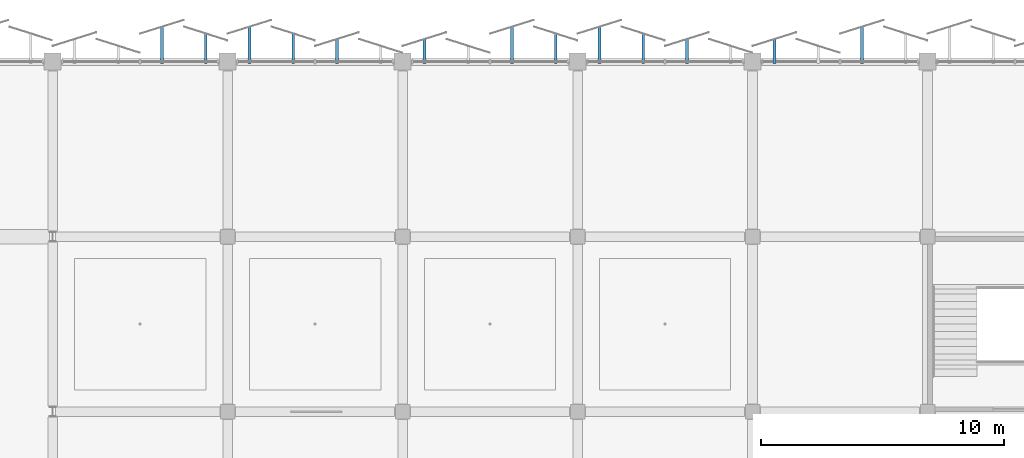
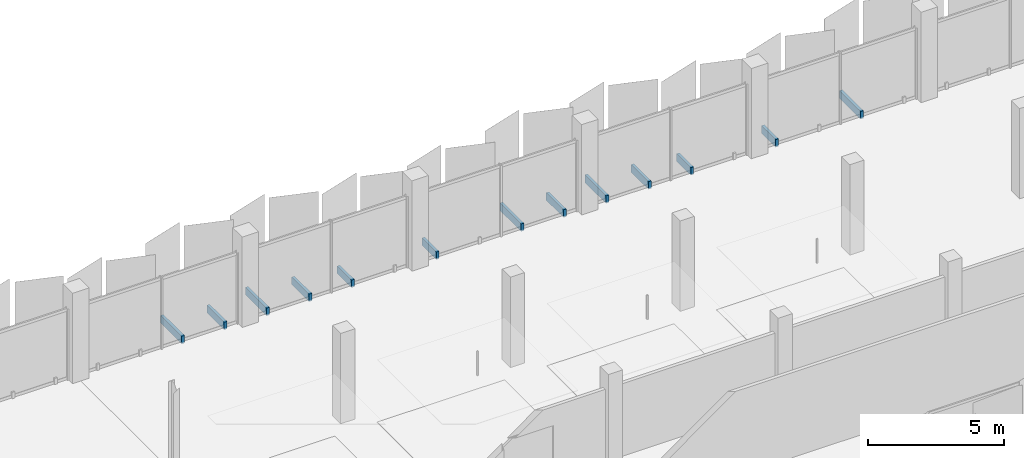
# One storey, part 97 of 107: 13 discrete accessories.
"""IFC4 building model written with IfcOpenShell, lengths in metres."""

import ifcopenshell
import ifcopenshell.guid

model = None  # the IFC model being written
_history = None  # IfcOwnerHistory: only IFC2X3 demands one
_inside = {}  # id of a spatial element -> (the spatial element, [elements in it])
_under = {}  # id of a project, library or spatial element -> (it, [spatial elements below it])
_declared = {}  # id of a project -> (the project, [libraries it declares])
_typed = {}  # id of a type object -> (the type object, [elements of that type])
_made_of = {}  # id of a material, layer set ... -> (it, [elements and type objects made of it])


def new_model(schema):
    """Start an empty IFC model of exactly this schema.

    Asked for "IFC4X3", IfcOpenShell would pick the latest addendum, in which some entities
    have other attributes; the version numbers below select the first issue.
    IFC2X3 requires an IfcOwnerHistory on every rooted entity: one is made here for all.
    """
    global model, _history
    if schema == "IFC4X3":
        model = ifcopenshell.file(schema_version=(4, 3, 0, 0))
    else:
        model = ifcopenshell.file(schema=schema)
    _inside.clear()
    _under.clear()
    _declared.clear()
    _typed.clear()
    _made_of.clear()
    _history = None
    if model.schema == "IFC2X3":
        org = make("IfcOrganization", Name="unknown")
        user = make(
            "IfcPersonAndOrganization",
            ThePerson=make("IfcPerson", FamilyName="unknown"),
            TheOrganization=org,
        )
        app = make(
            "IfcApplication",
            ApplicationDeveloper=org,
            Version="unknown",
            ApplicationFullName="unknown",
            ApplicationIdentifier="unknown",
        )
        _history = make(
            "IfcOwnerHistory",
            OwningUser=user,
            OwningApplication=app,
            ChangeAction="ADDED",
            CreationDate=0,
        )
    return model


def make(cls, **values):
    """One entity of the class cls with the attributes given. An attribute that is None is left unset."""
    return model.create_entity(
        cls, **{name: value for name, value in values.items() if value is not None}
    )


def rooted(cls, **values):
    """An entity with a GlobalId (a new one), such as an element, a storey or a relation."""
    return make(cls, GlobalId=ifcopenshell.guid.new(), OwnerHistory=_history, **values)


def si_unit(unit_type, name, prefix=None):
    """IfcSIUnit, for example si_unit("LENGTHUNIT", "METRE", prefix="MILLI")."""
    return make("IfcSIUnit", UnitType=unit_type, Prefix=prefix, Name=name)


def assignment(units):
    """IfcUnitAssignment: the units of a project."""
    return None if units is None else make("IfcUnitAssignment", Units=units)


def point(xyz):
    """IfcCartesianPoint."""
    return None if xyz is None else make("IfcCartesianPoint", Coordinates=xyz)


def direction(xyz):
    """IfcDirection."""
    return None if xyz is None else make("IfcDirection", DirectionRatios=xyz)


def frame(location, z_axis=None, x_axis=None):
    """IfcAxis2Placement3D, a coordinate frame: its origin and axes. An axis left out is left unset."""
    return make(
        "IfcAxis2Placement3D",
        Location=point(location),
        Axis=direction(z_axis),
        RefDirection=direction(x_axis),
    )


def frame_2d(location, x_axis=None):
    """IfcAxis2Placement2D, a coordinate frame in the plane: its origin and x axis."""
    return make(
        "IfcAxis2Placement2D", Location=point(location), RefDirection=direction(x_axis)
    )


def origin():
    """The frame at (0, 0, 0) with its axes left unset."""
    return frame((0.0, 0.0, 0.0))


def origin_2d():
    """The frame at (0, 0) in the plane with its x axis left unset."""
    return frame_2d((0.0, 0.0))


def place(relative_to, where):
    """IfcLocalPlacement: puts the frame where relative to a parent placement (None: the world)."""
    return make(
        "IfcLocalPlacement", PlacementRelTo=relative_to, RelativePlacement=where
    )


def context(
    kind, dimensions, precision=None, world=None, true_north=None, identifier=None
):
    """IfcGeometricRepresentationContext, for example the 3D "Model" context."""
    return make(
        "IfcGeometricRepresentationContext",
        ContextIdentifier=identifier,
        ContextType=kind,
        CoordinateSpaceDimension=dimensions,
        Precision=precision,
        WorldCoordinateSystem=world,
        TrueNorth=true_north,
    )


def subcontext(parent, identifier, kind, view, scale=None):
    """IfcGeometricRepresentationSubContext, for example "Body" below "Model"."""
    return make(
        "IfcGeometricRepresentationSubContext",
        ContextIdentifier=identifier,
        ContextType=kind,
        ParentContext=parent,
        TargetScale=scale,
        TargetView=view,
    )


def project(units=None, contexts=None):
    """IfcProject with its units and contexts."""
    return rooted(
        "IfcProject",
        Name="project",
        RepresentationContexts=contexts,
        UnitsInContext=assignment(units),
    )


def spatial(cls, under=None, at=None, **own):
    """A site, building, storey or space (cls), placed at a placement, below another one or the project."""
    s = rooted(cls, ObjectPlacement=at, **own)
    if under is not None:
        _under.setdefault(under.id(), (under, []))[1].append(s)
    return s


def profile(cls, at=None, kind="AREA", **sizes):
    """A parametric profile (cls). Its sizes go by their IFC names, for example OverallWidth=200.0."""
    return make(cls, ProfileType=kind, Position=at, **sizes)


def rectangle(**sizes):
    """IfcRectangleProfileDef."""
    return profile("IfcRectangleProfileDef", **sizes)


def extrude(swept, where, along, depth):
    """IfcExtrudedAreaSolid: the profile swept, set in the frame where, extruded along a direction by depth."""
    return make(
        "IfcExtrudedAreaSolid",
        SweptArea=swept,
        Position=where,
        ExtrudedDirection=direction(along),
        Depth=depth,
    )


def shape(context_of_items, identifier, shape_type, items):
    """IfcShapeRepresentation: the items that make up one representation, for example the "Body"."""
    return make(
        "IfcShapeRepresentation",
        ContextOfItems=context_of_items,
        RepresentationIdentifier=identifier,
        RepresentationType=shape_type,
        Items=items,
    )


def material(Name=None, Category=None):
    """IfcMaterial."""
    return make("IfcMaterial", Name=Name, Category=Category)


def made_of(thing, what):
    """Note that an element or type object is made of a material, layer set ...; save() writes the relation."""
    if what is not None:
        _made_of.setdefault(what.id(), (what, []))[1].append(thing)
    return thing


def type_object(cls, material=None, **own):
    """A type object (cls), such as IfcWallType, which elements share."""
    return made_of(rooted(cls, **own), material)


def element(
    cls,
    number,
    at=None,
    inside=None,
    cuts=None,
    type_object=None,
    material=None,
    context=None,
    identifier="Body",
    shape_type=None,
    held_by="IfcProductDefinitionShape",
    body=None,
    shapes=None,
    **own,
):
    """One element of the class cls, such as IfcWall. Its Tag is "e" and its number.

    at: its placement. inside: the storey or other place that contains it. cuts: it is an
    opening in that element (IfcRelVoidsElement). A single representation is given by context,
    identifier, shape_type and body (its items); several are given by shapes. held_by: the class
    of the entity that holds the representations. save() writes the other relations.
    """
    e = rooted(cls, Tag="e%d" % number, ObjectPlacement=at, **own)
    if body is not None:
        shapes = [shape(context, identifier, shape_type, body)]
    if shapes is not None:
        e.Representation = make(held_by, Representations=shapes)
    if inside is not None:
        _inside.setdefault(inside.id(), (inside, []))[1].append(e)
    if cuts is not None:
        rooted(
            "IfcRelVoidsElement", RelatingBuildingElement=cuts, RelatedOpeningElement=e
        )
    if type_object is not None:
        _typed.setdefault(type_object.id(), (type_object, []))[1].append(e)
    return made_of(e, material)


def aggregate(whole, parts):
    """IfcRelAggregates: a whole, such as a stair, and the parts it consists of."""
    return rooted("IfcRelAggregates", RelatingObject=whole, RelatedObjects=parts)


def save(model, path):
    """Write the relations noted so far, then the file.

    IfcRelAggregates (storeys below a building ...), IfcRelContainedInSpatialStructure (elements
    in a storey), IfcRelDefinesByType, IfcRelAssociatesMaterial and IfcRelDeclares: one each for
    every whole, place, type object, material and project.
    """
    for whole, parts in _under.values():
        aggregate(whole, parts)
    for where, things in _inside.values():
        rooted(
            "IfcRelContainedInSpatialStructure",
            RelatedElements=things,
            RelatingStructure=where,
        )
    for kind, things in _typed.values():
        rooted("IfcRelDefinesByType", RelatedObjects=things, RelatingType=kind)
    for what, things in _made_of.values():
        rooted("IfcRelAssociatesMaterial", RelatedObjects=things, RelatingMaterial=what)
    for by, libraries in _declared.values():
        rooted("IfcRelDeclares", RelatingContext=by, RelatedDefinitions=libraries)
    model.write(path)


model = new_model("IFC4")

# Units and contexts
model_context = context("Model", 3, precision=1e-05, world=origin(), true_north=direction((0.0, 1.0)))
body_context = subcontext(model_context, "Body", "Model", "MODEL_VIEW")
ifc_project = project(units=[si_unit("LENGTHUNIT", "METRE"), si_unit("AREAUNIT", "SQUARE_METRE"), si_unit("VOLUMEUNIT", "CUBIC_METRE"), si_unit("PLANEANGLEUNIT", "RADIAN"), si_unit("MASSUNIT", "GRAM", prefix="KILO")], contexts=[model_context])

# Site, building, storey
site_placement = place(None, origin())
site = spatial("IfcSite", under=ifc_project, at=site_placement, CompositionType="ELEMENT")
building_placement = place(site_placement, origin())
building = spatial("IfcBuilding", under=site, at=building_placement, Name="Kangsadwip Square Police Headquarters", CompositionType="ELEMENT")
storey_placement = place(building_placement, frame((0.0, 0.0, 5.39990234375)))
storey = spatial("IfcBuildingStorey", under=building, at=storey_placement, Name="L01", CompositionType="ELEMENT", Elevation=5.39990234375)

# Discrete accessories
ifc_material = material(Name="Structural steel IS 2062 E350 (Grade 350, 350 MPa)", Category="steel")
discrete_accessory_type = type_object("IfcDiscreteAccessoryType", Name="VeilOutriggerBracket", PredefinedType="BRACKET", material=ifc_material)
discrete_accessory_1_placement = place(storey_placement, frame((98.10009765625, 115.897216796875, -0.06005859375), z_axis=(0.0, 0.0, 1.0), x_axis=(1.0, 0.0, 0.0)))
element("IfcDiscreteAccessory", 1, at=discrete_accessory_1_placement, inside=storey, type_object=discrete_accessory_type, Name="Veil Outrigger Bracket VBK-L01-0059", PredefinedType="BRACKET", context=body_context, shape_type="SweptSolid", body=[
    extrude(rectangle(XDim=0.1201171875, YDim=1.5546875, at=origin_2d()), origin(), (0.0, 0.0, 1.0), 0.340087890625),
])
discrete_accessory_2_placement = place(storey_placement, frame((99.89990234375, 115.75732421875, -0.06005859375), z_axis=(0.0, 0.0, 1.0), x_axis=(1.0, 0.0, 0.0)))
element("IfcDiscreteAccessory", 2, at=discrete_accessory_2_placement, inside=storey, type_object=discrete_accessory_type, Name="Veil Outrigger Bracket VBK-L01-0060", PredefinedType="BRACKET", context=body_context, shape_type="SweptSolid", body=[
    extrude(rectangle(XDim=0.1201171875, YDim=1.274658203125, at=origin_2d()), origin(), (0.0, 0.0, 1.0), 0.340087890625),
])
discrete_accessory_3_placement = place(storey_placement, frame((101.699951171875, 115.897216796875, -0.06005859375), z_axis=(0.0, 0.0, 1.0), x_axis=(1.0, 0.0, 0.0)))
element("IfcDiscreteAccessory", 3, at=discrete_accessory_3_placement, inside=storey, type_object=discrete_accessory_type, Name="Veil Outrigger Bracket VBK-L01-0061", PredefinedType="BRACKET", context=body_context, shape_type="SweptSolid", body=[
    extrude(rectangle(XDim=0.1201171875, YDim=1.5546875, at=origin_2d()), origin(), (0.0, 0.0, 1.0), 0.340087890625),
])
discrete_accessory_4_placement = place(storey_placement, frame((103.5, 115.75732421875, -0.06005859375), z_axis=(0.0, 0.0, 1.0), x_axis=(1.0, 0.0, 0.0)))
element("IfcDiscreteAccessory", 4, at=discrete_accessory_4_placement, inside=storey, type_object=discrete_accessory_type, Name="Veil Outrigger Bracket VBK-L01-0062", PredefinedType="BRACKET", context=body_context, shape_type="SweptSolid", body=[
    extrude(rectangle(XDim=0.1201171875, YDim=1.274658203125, at=origin_2d()), origin(), (0.0, 0.0, 1.0), 0.340087890625),
])
for number, where, z_axis, x_axis, name in (
    (5, (105.300048828125, 115.642578125, -0.06005859375), (0.0, 0.0, 1.0), (1.0, 0.0, 0.0), "Veil Outrigger Bracket VBK-L01-0063"),
    (6, (108.89990234375, 115.642578125, -0.06005859375), (0.0, 0.0, 1.0), (1.0, 0.0, 0.0), "Veil Outrigger Bracket VBK-L01-0065"),
):
    element("IfcDiscreteAccessory", number, at=place(storey_placement, frame(where, z_axis=z_axis, x_axis=x_axis)), inside=storey, type_object=discrete_accessory_type, Name=name, PredefinedType="BRACKET", context=body_context, shape_type="SweptSolid", body=[
        extrude(rectangle(XDim=0.1201171875, YDim=1.04541015625, at=origin_2d()), origin(), (0.0, 0.0, 1.0), 0.340087890625),
    ])
discrete_accessory_5_placement = place(storey_placement, frame((112.5, 115.897216796875, -0.06005859375), z_axis=(0.0, 0.0, 1.0), x_axis=(1.0, 0.0, 0.0)))
element("IfcDiscreteAccessory", 7, at=discrete_accessory_5_placement, inside=storey, type_object=discrete_accessory_type, Name="Veil Outrigger Bracket VBK-L01-0067", PredefinedType="BRACKET", context=body_context, shape_type="SweptSolid", body=[
    extrude(rectangle(XDim=0.1201171875, YDim=1.5546875, at=origin_2d()), origin(), (0.0, 0.0, 1.0), 0.340087890625),
])
discrete_accessory_6_placement = place(storey_placement, frame((114.300048828125, 115.75732421875, -0.06005859375), z_axis=(0.0, 0.0, 1.0), x_axis=(1.0, 0.0, 0.0)))
element("IfcDiscreteAccessory", 8, at=discrete_accessory_6_placement, inside=storey, type_object=discrete_accessory_type, Name="Veil Outrigger Bracket VBK-L01-0068", PredefinedType="BRACKET", context=body_context, shape_type="SweptSolid", body=[
    extrude(rectangle(XDim=0.1201171875, YDim=1.274658203125, at=origin_2d()), origin(), (0.0, 0.0, 1.0), 0.340087890625),
])
discrete_accessory_7_placement = place(storey_placement, frame((116.10009765625, 115.897216796875, -0.06005859375), z_axis=(0.0, 0.0, 1.0), x_axis=(1.0, 0.0, 0.0)))
element("IfcDiscreteAccessory", 9, at=discrete_accessory_7_placement, inside=storey, type_object=discrete_accessory_type, Name="Veil Outrigger Bracket VBK-L01-0069", PredefinedType="BRACKET", context=body_context, shape_type="SweptSolid", body=[
    extrude(rectangle(XDim=0.1201171875, YDim=1.5546875, at=origin_2d()), origin(), (0.0, 0.0, 1.0), 0.340087890625),
])
discrete_accessory_8_placement = place(storey_placement, frame((117.89990234375, 115.75732421875, -0.06005859375), z_axis=(0.0, 0.0, 1.0), x_axis=(1.0, 0.0, 0.0)))
element("IfcDiscreteAccessory", 10, at=discrete_accessory_8_placement, inside=storey, type_object=discrete_accessory_type, Name="Veil Outrigger Bracket VBK-L01-0070", PredefinedType="BRACKET", context=body_context, shape_type="SweptSolid", body=[
    extrude(rectangle(XDim=0.1201171875, YDim=1.274658203125, at=origin_2d()), origin(), (0.0, 0.0, 1.0), 0.340087890625),
])
for number, where, z_axis, x_axis, name in (
    (11, (119.699951171875, 115.642578125, -0.06005859375), (0.0, 0.0, 1.0), (1.0, 0.0, 0.0), "Veil Outrigger Bracket VBK-L01-0071"),
    (12, (123.300048828125, 115.642578125, -0.06005859375), (0.0, 0.0, 1.0), (1.0, 0.0, 0.0), "Veil Outrigger Bracket VBK-L01-0073"),
):
    element("IfcDiscreteAccessory", number, at=place(storey_placement, frame(where, z_axis=z_axis, x_axis=x_axis)), inside=storey, type_object=discrete_accessory_type, Name=name, PredefinedType="BRACKET", context=body_context, shape_type="SweptSolid", body=[
        extrude(rectangle(XDim=0.1201171875, YDim=1.04541015625, at=origin_2d()), origin(), (0.0, 0.0, 1.0), 0.340087890625),
    ])
discrete_accessory_9_placement = place(storey_placement, frame((126.89990234375, 115.897216796875, -0.06005859375), z_axis=(0.0, 0.0, 1.0), x_axis=(1.0, 0.0, 0.0)))
element("IfcDiscreteAccessory", 13, at=discrete_accessory_9_placement, inside=storey, type_object=discrete_accessory_type, Name="Veil Outrigger Bracket VBK-L01-0075", PredefinedType="BRACKET", context=body_context, shape_type="SweptSolid", body=[
    extrude(rectangle(XDim=0.1201171875, YDim=1.5546875, at=origin_2d()), origin(), (0.0, 0.0, 1.0), 0.340087890625),
])

save(model, "model.ifc")
